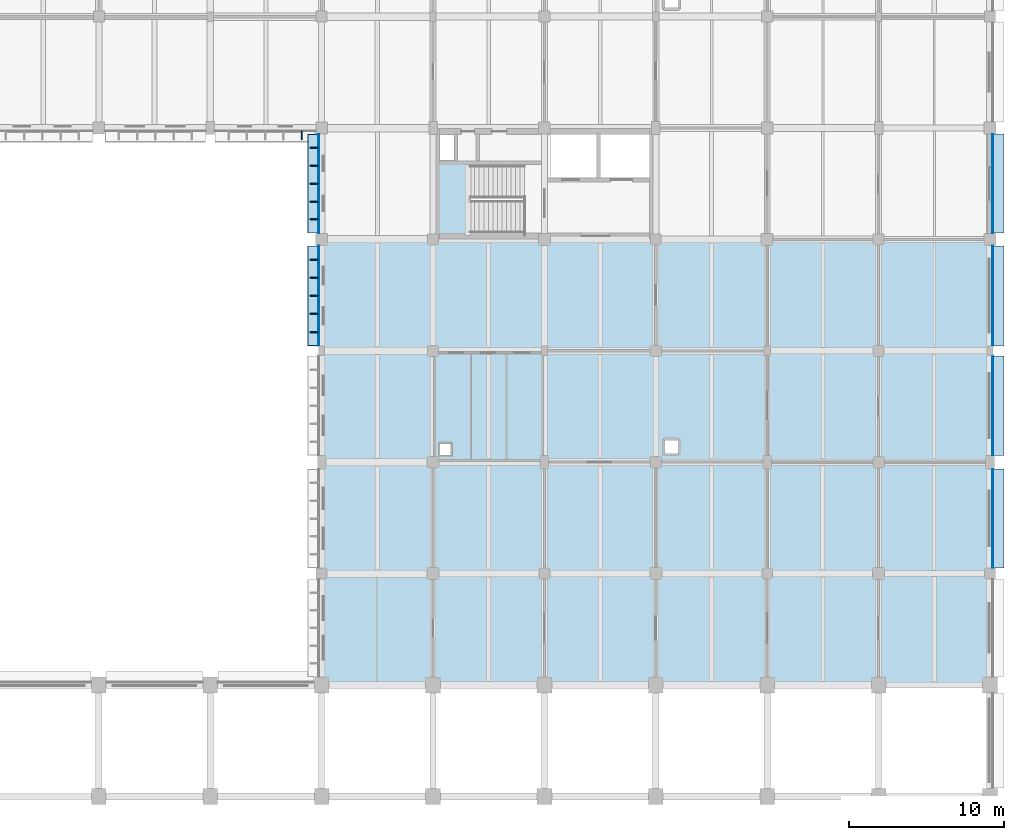
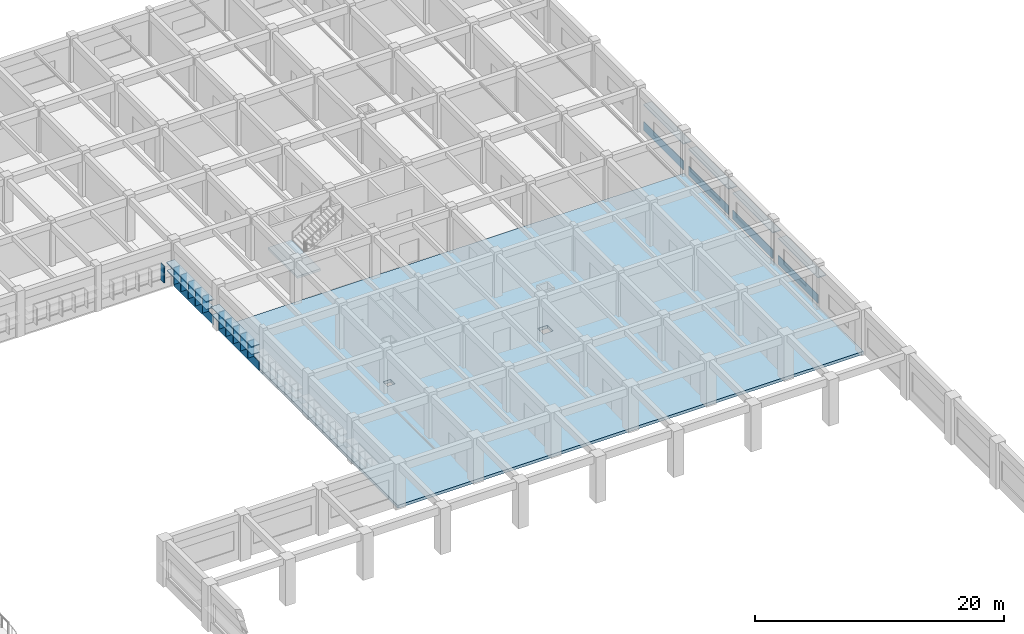
# One storey, part 32 of 61: 25 plates, 2 slabs, 1 element without a shape of its own.
"""IFC4 building model written with IfcOpenShell, lengths in metres."""

import ifcopenshell
import ifcopenshell.guid

model = None  # the IFC model being written
_history = None  # IfcOwnerHistory: only IFC2X3 demands one
_inside = {}  # id of a spatial element -> (the spatial element, [elements in it])
_under = {}  # id of a project, library or spatial element -> (it, [spatial elements below it])
_declared = {}  # id of a project -> (the project, [libraries it declares])
_typed = {}  # id of a type object -> (the type object, [elements of that type])
_made_of = {}  # id of a material, layer set ... -> (it, [elements and type objects made of it])


def new_model(schema):
    """Start an empty IFC model of exactly this schema.

    Asked for "IFC4X3", IfcOpenShell would pick the latest addendum, in which some entities
    have other attributes; the version numbers below select the first issue.
    IFC2X3 requires an IfcOwnerHistory on every rooted entity: one is made here for all.
    """
    global model, _history
    if schema == "IFC4X3":
        model = ifcopenshell.file(schema_version=(4, 3, 0, 0))
    else:
        model = ifcopenshell.file(schema=schema)
    _inside.clear()
    _under.clear()
    _declared.clear()
    _typed.clear()
    _made_of.clear()
    _history = None
    if model.schema == "IFC2X3":
        org = make("IfcOrganization", Name="unknown")
        user = make(
            "IfcPersonAndOrganization",
            ThePerson=make("IfcPerson", FamilyName="unknown"),
            TheOrganization=org,
        )
        app = make(
            "IfcApplication",
            ApplicationDeveloper=org,
            Version="unknown",
            ApplicationFullName="unknown",
            ApplicationIdentifier="unknown",
        )
        _history = make(
            "IfcOwnerHistory",
            OwningUser=user,
            OwningApplication=app,
            ChangeAction="ADDED",
            CreationDate=0,
        )
    return model


def make(cls, **values):
    """One entity of the class cls with the attributes given. An attribute that is None is left unset."""
    return model.create_entity(
        cls, **{name: value for name, value in values.items() if value is not None}
    )


def rooted(cls, **values):
    """An entity with a GlobalId (a new one), such as an element, a storey or a relation."""
    return make(cls, GlobalId=ifcopenshell.guid.new(), OwnerHistory=_history, **values)


def si_unit(unit_type, name, prefix=None):
    """IfcSIUnit, for example si_unit("LENGTHUNIT", "METRE", prefix="MILLI")."""
    return make("IfcSIUnit", UnitType=unit_type, Prefix=prefix, Name=name)


def assignment(units):
    """IfcUnitAssignment: the units of a project."""
    return None if units is None else make("IfcUnitAssignment", Units=units)


def point(xyz):
    """IfcCartesianPoint."""
    return None if xyz is None else make("IfcCartesianPoint", Coordinates=xyz)


def direction(xyz):
    """IfcDirection."""
    return None if xyz is None else make("IfcDirection", DirectionRatios=xyz)


def frame(location, z_axis=None, x_axis=None):
    """IfcAxis2Placement3D, a coordinate frame: its origin and axes. An axis left out is left unset."""
    return make(
        "IfcAxis2Placement3D",
        Location=point(location),
        Axis=direction(z_axis),
        RefDirection=direction(x_axis),
    )


def frame_2d(location, x_axis=None):
    """IfcAxis2Placement2D, a coordinate frame in the plane: its origin and x axis."""
    return make(
        "IfcAxis2Placement2D", Location=point(location), RefDirection=direction(x_axis)
    )


def origin():
    """The frame at (0, 0, 0) with its axes left unset."""
    return frame((0.0, 0.0, 0.0))


def origin_2d():
    """The frame at (0, 0) in the plane with its x axis left unset."""
    return frame_2d((0.0, 0.0))


def place(relative_to, where):
    """IfcLocalPlacement: puts the frame where relative to a parent placement (None: the world)."""
    return make(
        "IfcLocalPlacement", PlacementRelTo=relative_to, RelativePlacement=where
    )


def context(
    kind, dimensions, precision=None, world=None, true_north=None, identifier=None
):
    """IfcGeometricRepresentationContext, for example the 3D "Model" context."""
    return make(
        "IfcGeometricRepresentationContext",
        ContextIdentifier=identifier,
        ContextType=kind,
        CoordinateSpaceDimension=dimensions,
        Precision=precision,
        WorldCoordinateSystem=world,
        TrueNorth=true_north,
    )


def subcontext(parent, identifier, kind, view, scale=None):
    """IfcGeometricRepresentationSubContext, for example "Body" below "Model"."""
    return make(
        "IfcGeometricRepresentationSubContext",
        ContextIdentifier=identifier,
        ContextType=kind,
        ParentContext=parent,
        TargetScale=scale,
        TargetView=view,
    )


def project(units=None, contexts=None):
    """IfcProject with its units and contexts."""
    return rooted(
        "IfcProject",
        Name="project",
        RepresentationContexts=contexts,
        UnitsInContext=assignment(units),
    )


def spatial(cls, under=None, at=None, **own):
    """A site, building, storey or space (cls), placed at a placement, below another one or the project."""
    s = rooted(cls, ObjectPlacement=at, **own)
    if under is not None:
        _under.setdefault(under.id(), (under, []))[1].append(s)
    return s


def polyline(points):
    """IfcPolyline through the points."""
    return make("IfcPolyline", Points=[point(p) for p in points])


def profile(cls, at=None, kind="AREA", **sizes):
    """A parametric profile (cls). Its sizes go by their IFC names, for example OverallWidth=200.0."""
    return make(cls, ProfileType=kind, Position=at, **sizes)


def rectangle(**sizes):
    """IfcRectangleProfileDef."""
    return profile("IfcRectangleProfileDef", **sizes)


def outline(outer, holes=None, kind="AREA"):
    """IfcArbitraryClosedProfileDef: a profile drawn as a closed curve; with holes, ...WithVoids."""
    if holes is None:
        return make("IfcArbitraryClosedProfileDef", ProfileType=kind, OuterCurve=outer)
    return make(
        "IfcArbitraryProfileDefWithVoids",
        ProfileType=kind,
        OuterCurve=outer,
        InnerCurves=holes,
    )


def extrude(swept, where, along, depth):
    """IfcExtrudedAreaSolid: the profile swept, set in the frame where, extruded along a direction by depth."""
    return make(
        "IfcExtrudedAreaSolid",
        SweptArea=swept,
        Position=where,
        ExtrudedDirection=direction(along),
        Depth=depth,
    )


def shape(context_of_items, identifier, shape_type, items):
    """IfcShapeRepresentation: the items that make up one representation, for example the "Body"."""
    return make(
        "IfcShapeRepresentation",
        ContextOfItems=context_of_items,
        RepresentationIdentifier=identifier,
        RepresentationType=shape_type,
        Items=items,
    )


def material(Name=None, Category=None):
    """IfcMaterial."""
    return make("IfcMaterial", Name=Name, Category=Category)


def layer(
    of_material, thickness, ventilated=None, Name=None, Category=None, Priority=None
):
    """IfcMaterialLayer: one layer of a wall or slab, of a material (None: an air gap)."""
    return make(
        "IfcMaterialLayer",
        Material=of_material,
        LayerThickness=thickness,
        IsVentilated=ventilated,
        Name=Name,
        Category=Category,
        Priority=Priority,
    )


def layer_set(layers, Name=None):
    """IfcMaterialLayerSet."""
    return make("IfcMaterialLayerSet", MaterialLayers=layers, LayerSetName=Name)


def made_of(thing, what):
    """Note that an element or type object is made of a material, layer set ...; save() writes the relation."""
    if what is not None:
        _made_of.setdefault(what.id(), (what, []))[1].append(thing)
    return thing


def type_object(cls, material=None, **own):
    """A type object (cls), such as IfcWallType, which elements share."""
    return made_of(rooted(cls, **own), material)


def element(
    cls,
    number,
    at=None,
    inside=None,
    cuts=None,
    type_object=None,
    material=None,
    context=None,
    identifier="Body",
    shape_type=None,
    held_by="IfcProductDefinitionShape",
    body=None,
    shapes=None,
    **own,
):
    """One element of the class cls, such as IfcWall. Its Tag is "e" and its number.

    at: its placement. inside: the storey or other place that contains it. cuts: it is an
    opening in that element (IfcRelVoidsElement). A single representation is given by context,
    identifier, shape_type and body (its items); several are given by shapes. held_by: the class
    of the entity that holds the representations. save() writes the other relations.
    """
    e = rooted(cls, Tag="e%d" % number, ObjectPlacement=at, **own)
    if body is not None:
        shapes = [shape(context, identifier, shape_type, body)]
    if shapes is not None:
        e.Representation = make(held_by, Representations=shapes)
    if inside is not None:
        _inside.setdefault(inside.id(), (inside, []))[1].append(e)
    if cuts is not None:
        rooted(
            "IfcRelVoidsElement", RelatingBuildingElement=cuts, RelatedOpeningElement=e
        )
    if type_object is not None:
        _typed.setdefault(type_object.id(), (type_object, []))[1].append(e)
    return made_of(e, material)


def aggregate(whole, parts):
    """IfcRelAggregates: a whole, such as a stair, and the parts it consists of."""
    return rooted("IfcRelAggregates", RelatingObject=whole, RelatedObjects=parts)


def save(model, path):
    """Write the relations noted so far, then the file.

    IfcRelAggregates (storeys below a building ...), IfcRelContainedInSpatialStructure (elements
    in a storey), IfcRelDefinesByType, IfcRelAssociatesMaterial and IfcRelDeclares: one each for
    every whole, place, type object, material and project.
    """
    for whole, parts in _under.values():
        aggregate(whole, parts)
    for where, things in _inside.values():
        rooted(
            "IfcRelContainedInSpatialStructure",
            RelatedElements=things,
            RelatingStructure=where,
        )
    for kind, things in _typed.values():
        rooted("IfcRelDefinesByType", RelatedObjects=things, RelatingType=kind)
    for what, things in _made_of.values():
        rooted("IfcRelAssociatesMaterial", RelatedObjects=things, RelatingMaterial=what)
    for by, libraries in _declared.values():
        rooted("IfcRelDeclares", RelatingContext=by, RelatedDefinitions=libraries)
    model.write(path)


model = new_model("IFC4")

# Units and contexts
model_context = context("Model", 3, precision=1e-05, world=origin(), true_north=direction((0.0, 1.0)))
body_context = subcontext(model_context, "Body", "Model", "MODEL_VIEW")
ifc_project = project(units=[si_unit("LENGTHUNIT", "METRE"), si_unit("AREAUNIT", "SQUARE_METRE"), si_unit("VOLUMEUNIT", "CUBIC_METRE"), si_unit("PLANEANGLEUNIT", "RADIAN"), si_unit("MASSUNIT", "GRAM", prefix="KILO")], contexts=[model_context])

# Site, building, storey
site_placement = place(None, origin())
site = spatial("IfcSite", under=ifc_project, at=site_placement, CompositionType="ELEMENT")
building_placement = place(site_placement, origin())
building = spatial("IfcBuilding", under=site, at=building_placement, Name="Thalmaran Polytechnic", CompositionType="ELEMENT")
storey_placement = place(building_placement, frame((0.0, 0.0, 9.89990234375)))
storey = spatial("IfcBuildingStorey", under=building, at=storey_placement, Name="L02", CompositionType="ELEMENT", Elevation=9.89990234375)

# Plates
ifc_material_1 = material(Name="Anodised aluminium spandrel band", Category="aluminium")
ifc_layer_1 = layer(ifc_material_1, 0.054931640625, Name="Anodised aluminium spandrel band")
ifc_layer_set_1 = layer_set([ifc_layer_1], Name="Anodised aluminium spandrel band")
plate_type_1 = type_object("IfcPlateType", Name="PT-BD01", PredefinedType="SHEET", material=ifc_layer_set_1)
plate_1_placement = place(storey_placement, frame((172.97998046875, 90.007568359375, 0.020263671875), z_axis=(0.0, 0.0, 1.0), x_axis=(0.0, -1.0, 0.0)))
element("IfcPlate", 1, at=plate_1_placement, inside=storey, type_object=plate_type_1, Name="Streamline Horizontal Spandrel Band L02-056", PredefinedType="SHEET", context=body_context, shape_type="SweptSolid", body=[
    extrude(rectangle(XDim=6.39501953125, YDim=0.054931640625, at=origin_2d()), origin(), (0.0, 0.0, 1.0), 0.8798828125),
])
plate_2_placement = place(storey_placement, frame((172.97998046875, 82.7548828125, 0.020263671875), z_axis=(0.0, 0.0, 1.0), x_axis=(0.0, -1.0, 0.0)))
element("IfcPlate", 2, at=plate_2_placement, inside=storey, type_object=plate_type_1, Name="Streamline Horizontal Spandrel Band L02-057", PredefinedType="SHEET", context=body_context, shape_type="SweptSolid", body=[
    extrude(rectangle(XDim=6.469970703125, YDim=0.054931640625, at=origin_2d()), origin(), (0.0, 0.0, 1.0), 0.8798828125),
])
plate_3_placement = place(storey_placement, frame((172.97998046875, 75.66259765625, 0.020263671875), z_axis=(0.0, 0.0, 1.0), x_axis=(0.0, -1.0, 0.0)))
element("IfcPlate", 3, at=plate_3_placement, inside=storey, type_object=plate_type_1, Name="Streamline Horizontal Spandrel Band L02-058", PredefinedType="SHEET", context=body_context, shape_type="SweptSolid", body=[
    extrude(rectangle(XDim=6.43505859375, YDim=0.054931640625, at=origin_2d()), origin(), (0.0, 0.0, 1.0), 0.8798828125),
])
plate_4_placement = place(storey_placement, frame((172.97998046875, 68.362548828125, 0.020263671875), z_axis=(0.0, 0.0, 1.0), x_axis=(0.0, -1.0, 0.0)))
element("IfcPlate", 4, at=plate_4_placement, inside=storey, type_object=plate_type_1, Name="Streamline Horizontal Spandrel Band L02-059", PredefinedType="SHEET", context=body_context, shape_type="SweptSolid", body=[
    extrude(rectangle(XDim=6.385009765625, YDim=0.054931640625, at=origin_2d()), origin(), (0.0, 0.0, 1.0), 0.8798828125),
])
plate_5_placement = place(storey_placement, frame((129.405029296875, 82.7548828125, 0.020263671875), z_axis=(0.0, 0.0, 1.0), x_axis=(0.0, 1.0, 0.0)))
element("IfcPlate", 5, at=plate_5_placement, inside=storey, type_object=plate_type_1, Name="Streamline Horizontal Spandrel Band L02-162", PredefinedType="SHEET", context=body_context, shape_type="SweptSolid", body=[
    extrude(rectangle(XDim=6.469970703125, YDim=0.054931640625, at=origin_2d()), origin(), (0.0, 0.0, 1.0), 0.8798828125),
])
plate_6_placement = place(storey_placement, frame((129.405029296875, 90.007568359375, 0.020263671875), z_axis=(0.0, 0.0, 1.0), x_axis=(0.0, 1.0, 0.0)))
element("IfcPlate", 6, at=plate_6_placement, inside=storey, type_object=plate_type_1, Name="Streamline Horizontal Spandrel Band L02-163", PredefinedType="SHEET", context=body_context, shape_type="SweptSolid", body=[
    extrude(rectangle(XDim=6.39501953125, YDim=0.054931640625, at=origin_2d()), origin(), (0.0, 0.0, 1.0), 0.8798828125),
])
ifc_material_2 = material(Name="Anodised aluminium sun-hood eyebrow", Category="aluminium")
ifc_layer_2 = layer(ifc_material_2, 0.0849609375, Name="Anodised aluminium sun-hood eyebrow")
ifc_layer_set_2 = layer_set([ifc_layer_2], Name="Anodised aluminium sun-hood eyebrow")
plate_type_2 = type_object("IfcPlateType", Name="PT-EB01", PredefinedType="SHEET", material=ifc_layer_set_2)
plate_7_placement = place(storey_placement, frame((173.324951171875, 90.007568359375, 2.517578125), z_axis=(0.0, 0.0, 1.0), x_axis=(0.0, -1.0, 0.0)))
element("IfcPlate", 7, at=plate_7_placement, inside=storey, type_object=plate_type_2, Name="Streamline Sun-Hood Eyebrow L02-056", PredefinedType="SHEET", context=body_context, shape_type="SweptSolid", body=[
    extrude(rectangle(XDim=6.39501953125, YDim=0.760009765625, at=origin_2d()), origin(), (0.0, 0.0, 1.0), 0.0849609375),
])
plate_8_placement = place(storey_placement, frame((173.324951171875, 82.7548828125, 2.517578125), z_axis=(0.0, 0.0, 1.0), x_axis=(0.0, -1.0, 0.0)))
element("IfcPlate", 8, at=plate_8_placement, inside=storey, type_object=plate_type_2, Name="Streamline Sun-Hood Eyebrow L02-057", PredefinedType="SHEET", context=body_context, shape_type="SweptSolid", body=[
    extrude(rectangle(XDim=6.469970703125, YDim=0.760009765625, at=origin_2d()), origin(), (0.0, 0.0, 1.0), 0.0849609375),
])
plate_9_placement = place(storey_placement, frame((173.324951171875, 75.66259765625, 2.517578125), z_axis=(0.0, 0.0, 1.0), x_axis=(0.0, -1.0, 0.0)))
element("IfcPlate", 9, at=plate_9_placement, inside=storey, type_object=plate_type_2, Name="Streamline Sun-Hood Eyebrow L02-058", PredefinedType="SHEET", context=body_context, shape_type="SweptSolid", body=[
    extrude(rectangle(XDim=6.43505859375, YDim=0.760009765625, at=origin_2d()), origin(), (0.0, 0.0, 1.0), 0.0849609375),
])
plate_10_placement = place(storey_placement, frame((173.324951171875, 68.362548828125, 2.517578125), z_axis=(0.0, 0.0, 1.0), x_axis=(0.0, -1.0, 0.0)))
element("IfcPlate", 10, at=plate_10_placement, inside=storey, type_object=plate_type_2, Name="Streamline Sun-Hood Eyebrow L02-059", PredefinedType="SHEET", context=body_context, shape_type="SweptSolid", body=[
    extrude(rectangle(XDim=6.385009765625, YDim=0.760009765625, at=origin_2d()), origin(), (0.0, 0.0, 1.0), 0.0849609375),
])
plate_11_placement = place(storey_placement, frame((129.06005859375, 82.7548828125, 2.517578125), z_axis=(0.0, 0.0, 1.0), x_axis=(0.0, 1.0, 0.0)))
element("IfcPlate", 11, at=plate_11_placement, inside=storey, type_object=plate_type_2, Name="Streamline Sun-Hood Eyebrow L02-162", PredefinedType="SHEET", context=body_context, shape_type="SweptSolid", body=[
    extrude(rectangle(XDim=6.469970703125, YDim=0.760009765625, at=origin_2d()), origin(), (0.0, 0.0, 1.0), 0.0849609375),
])
plate_12_placement = place(storey_placement, frame((129.080078125, 82.7548828125, 1.74267578125), z_axis=(0.0, 0.0, 1.0), x_axis=(0.0, 1.0, 0.0)))
element("IfcPlate", 12, at=plate_12_placement, inside=storey, type_object=plate_type_2, Name="Abu Dhabi Horizontal Solar Louvre L02-162", PredefinedType="SHEET", context=body_context, shape_type="SweptSolid", body=[
    extrude(rectangle(XDim=6.429931640625, YDim=0.719970703125, at=origin_2d()), origin(), (0.0, 0.0, 1.0), 0.074951171875),
])
plate_13_placement = place(storey_placement, frame((129.06005859375, 90.007568359375, 2.517578125), z_axis=(0.0, 0.0, 1.0), x_axis=(0.0, 1.0, 0.0)))
element("IfcPlate", 13, at=plate_13_placement, inside=storey, type_object=plate_type_2, Name="Streamline Sun-Hood Eyebrow L02-163", PredefinedType="SHEET", context=body_context, shape_type="SweptSolid", body=[
    extrude(rectangle(XDim=6.39501953125, YDim=0.760009765625, at=origin_2d()), origin(), (0.0, 0.0, 1.0), 0.0849609375),
])
plate_14_placement = place(storey_placement, frame((129.080078125, 90.007568359375, 1.74267578125), z_axis=(0.0, 0.0, 1.0), x_axis=(0.0, 1.0, 0.0)))
element("IfcPlate", 14, at=plate_14_placement, inside=storey, type_object=plate_type_2, Name="Abu Dhabi Horizontal Solar Louvre L02-163", PredefinedType="SHEET", context=body_context, shape_type="SweptSolid", body=[
    extrude(rectangle(XDim=6.35498046875, YDim=0.719970703125, at=origin_2d()), origin(), (0.0, 0.0, 1.0), 0.074951171875),
])
ifc_material_3 = material(Name="Anodised bronze brise-soleil fin")
ifc_layer_3 = layer(ifc_material_3, 0.06494140625, Name="Anodised bronze brise-soleil fin")
ifc_layer_set_3 = layer_set([ifc_layer_3], Name="Anodised bronze brise-soleil fin")
plate_type_3 = type_object("IfcPlateType", Name="PT-FN01", PredefinedType="SHEET", material=ifc_layer_set_3)
for number, where, z_axis, x_axis, name in (
    (15, (129.139892578125, 80.411376953125, 0.895263671875), (0.0, 0.0, 1.0), (0.0, 1.0, 0.0), "Abu Dhabi Solar Brise-Soleil Fin L02-162-1"),
    (16, (129.139892578125, 81.583251953125, 0.895263671875), (0.0, 0.0, 1.0), (0.0, 1.0, 0.0), "Abu Dhabi Solar Brise-Soleil Fin L02-162-2"),
    (17, (129.139892578125, 82.7548828125, 0.895263671875), (0.0, 0.0, 1.0), (0.0, 1.0, 0.0), "Abu Dhabi Solar Brise-Soleil Fin L02-162-3"),
    (18, (129.139892578125, 83.9267578125, 0.895263671875), (0.0, 0.0, 1.0), (0.0, 1.0, 0.0), "Abu Dhabi Solar Brise-Soleil Fin L02-162-4"),
    (19, (129.139892578125, 85.0986328125, 0.895263671875), (0.0, 0.0, 1.0), (0.0, 1.0, 0.0), "Abu Dhabi Solar Brise-Soleil Fin L02-162-5"),
    (20, (129.139892578125, 87.69091796875, 0.895263671875), (0.0, 0.0, 1.0), (0.0, 1.0, 0.0), "Abu Dhabi Solar Brise-Soleil Fin L02-163-1"),
    (21, (129.139892578125, 88.84912109375, 0.895263671875), (0.0, 0.0, 1.0), (0.0, 1.0, 0.0), "Abu Dhabi Solar Brise-Soleil Fin L02-163-2"),
    (22, (129.139892578125, 90.007568359375, 0.895263671875), (0.0, 0.0, 1.0), (0.0, 1.0, 0.0), "Abu Dhabi Solar Brise-Soleil Fin L02-163-3"),
    (23, (129.139892578125, 91.165771484375, 0.895263671875), (0.0, 0.0, 1.0), (0.0, 1.0, 0.0), "Abu Dhabi Solar Brise-Soleil Fin L02-163-4"),
    (24, (129.139892578125, 92.32421875, 0.895263671875), (0.0, 0.0, 1.0), (0.0, 1.0, 0.0), "Abu Dhabi Solar Brise-Soleil Fin L02-163-5"),
    (25, (128.30810546875, 93.139892578125, 0.895263671875), (0.0, 0.0, 1.0), (-1.0, 0.0, 0.0), "Abu Dhabi Solar Brise-Soleil Fin L02-164-1"),
):
    element("IfcPlate", number, at=place(storey_placement, frame(where, z_axis=z_axis, x_axis=x_axis)), inside=storey, type_object=plate_type_3, Name=name, PredefinedType="SHEET", context=body_context, shape_type="SweptSolid", body=[
        extrude(rectangle(XDim=0.06494140625, YDim=0.56005859375, at=origin_2d()), origin(), (0.0, 0.0, 1.0), 1.64990234375),
    ])

# Slab
ifc_material_4 = material(Name="Concrete C40/50", Category="concrete")
ifc_layer_4 = layer(ifc_material_4, 0.2900390625, Name="Concrete C40/50")
ifc_layer_set_4 = layer_set([ifc_layer_4], Name="Concrete C40/50")
slab_type_1 = type_object("IfcSlabType", Name="SL-FL04", PredefinedType="FLOOR", material=ifc_layer_set_4)
slab_1_placement = place(storey_placement, frame((0.0, 0.0, -0.289794921875)))
element("IfcSlab", 26, at=slab_1_placement, inside=storey, type_object=slab_type_1, Name="V5S L02 Structural Slab", PredefinedType="FLOOR", context=body_context, shape_type="SweptSolid", body=[
    extrude(outline(polyline([(136.800048828125, 86.39990234375), (144.0, 86.39990234375), (151.199951171875, 86.39990234375), (158.39990234375, 86.39990234375), (165.60009765625, 86.39990234375), (172.800048828125, 86.39990234375), (172.800048828125, 79.199951171875), (172.800048828125, 72.0), (172.800048828125, 64.800048828125), (172.800048828125, 57.60009765625), (165.60009765625, 57.60009765625), (158.39990234375, 57.60009765625), (151.199951171875, 57.60009765625), (144.0, 57.60009765625), (136.800048828125, 57.60009765625), (129.60009765625, 57.60009765625), (129.60009765625, 64.800048828125), (129.60009765625, 72.0), (129.60009765625, 79.199951171875), (129.60009765625, 86.39990234375), (136.800048828125, 86.39990234375)]), holes=[polyline([(152.64990234375, 73.449951171875), (151.75, 73.449951171875), (151.75, 72.550048828125), (152.64990234375, 72.550048828125), (152.64990234375, 73.449951171875)]), polyline([(137.25, 73.179931640625), (137.25, 72.47998046875), (137.949951171875, 72.47998046875), (137.949951171875, 73.179931640625), (137.25, 73.179931640625)])]), origin(), (0.0, 0.0, 1.0), 0.289794921875),
])

# Stair, slab
stair_type = type_object("IfcStairType", Name="ST-HT45", PredefinedType="HALF_TURN_STAIR", material=ifc_material_4)
stair_placement = place(storey_placement, origin())
stair = element("IfcStair", 27, at=stair_placement, inside=storey, type_object=stair_type, Name="Exit Stair ST5 L02", PredefinedType="HALF_TURN_STAIR")
ifc_layer_5 = layer(ifc_material_4, 0.2099609375, Name="Concrete C40/50")
ifc_layer_set_5 = layer_set([ifc_layer_5], Name="Concrete C40/50")
slab_type_2 = type_object("IfcSlabType", Name="SL-LD01", PredefinedType="LANDING", material=ifc_layer_set_5)
slab_2_placement = place(storey_placement, frame((0.0, 0.0, 2.0400390625)))
slab_2 = element("IfcSlab", 28, at=slab_2_placement, type_object=slab_type_2, Name="ST5 L02 Half Landing", PredefinedType="LANDING", context=body_context, shape_type="SweptSolid", body=[
    extrude(outline(polyline([(137.0400390625, 86.639892578125), (139.199951171875, 86.639892578125), (139.199951171875, 91.340087890625), (137.0400390625, 91.340087890625), (137.0400390625, 86.639892578125)])), origin(), (0.0, 0.0, 1.0), 0.2099609375),
])
aggregate(stair, [slab_2])

save(model, "model.ifc")
